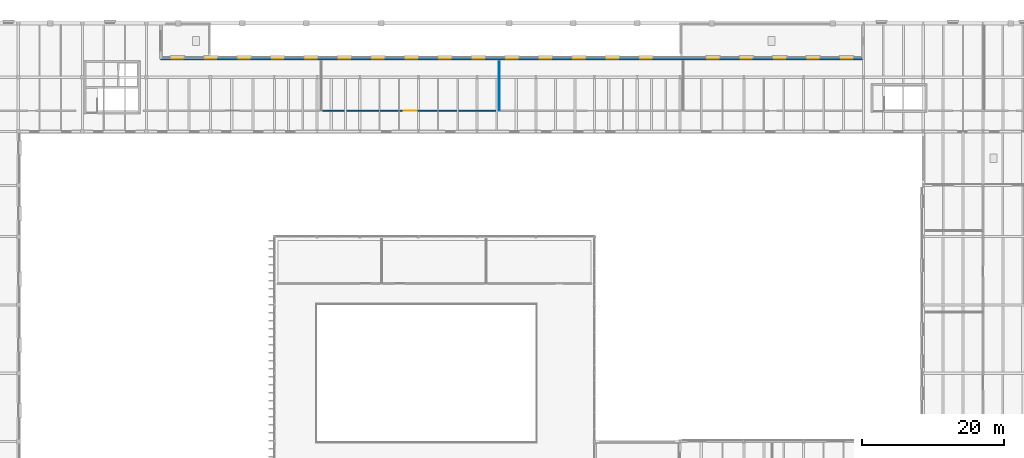
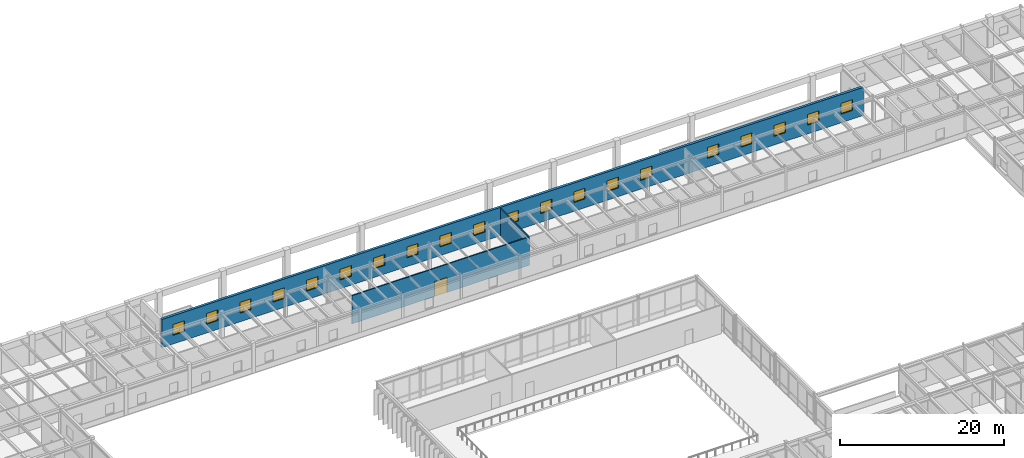
# One storey, part 50 of 64: 20 windows, 3 walls, 1 door, 21 openings.
"""IFC4 building model written with IfcOpenShell, lengths in metres."""

from ifc_helpers import new_model, si_unit, direction, frame, frame_2d, origin, place, context, subcontext, project, spatial, rectangle, extrude, material, layer, layer_set, type_object, element, fill, save


model = new_model("IFC4")

# Units and contexts
model_context = context("Model", 3, precision=1e-05, world=origin(), true_north=direction((0.0, 1.0)))
body_context = subcontext(model_context, "Body", "Model", "MODEL_VIEW")
ifc_project = project(units=[si_unit("LENGTHUNIT", "METRE"), si_unit("AREAUNIT", "SQUARE_METRE"), si_unit("VOLUMEUNIT", "CUBIC_METRE"), si_unit("PLANEANGLEUNIT", "RADIAN"), si_unit("MASSUNIT", "GRAM", prefix="KILO")], contexts=[model_context])

# Site, building, storey
site_placement = place(None, origin())
site = spatial("IfcSite", under=ifc_project, at=site_placement, CompositionType="ELEMENT")
building_placement = place(site_placement, origin())
building = spatial("IfcBuilding", under=site, at=building_placement, Name="Montealbar Specialist Clinic", CompositionType="ELEMENT")
storey_placement = place(building_placement, frame((0.0, 0.0, 5.10009765625)))
storey = spatial("IfcBuildingStorey", under=building, at=storey_placement, Name="L01", CompositionType="ELEMENT", Elevation=5.10009765625)

# Wall, openings, windows
ifc_material_1 = material(Name="Guadarrama granite ashlar", Category="masonry")
ifc_layer_1 = layer(ifc_material_1, 0.35009765625, Name="Guadarrama granite ashlar", Category="masonry")
ifc_layer_set_1 = layer_set([ifc_layer_1], Name="Guadarrama granite ashlar")
wall_type_1 = type_object("IfcWallType", Name="WL-EXT-GRANITE-350", PredefinedType="SOLIDWALL", material=ifc_layer_set_1)
wall_1_placement = place(storey_placement, frame((38.0, 106.0, 0.0), z_axis=(0.0, 0.0, 1.0), x_axis=(1.0, 0.0, 0.0)))
wall_1 = element("IfcWall", 1, at=wall_1_placement, inside=storey, type_object=wall_type_1, Name="Exterior Facade Wall EW-L01-027", PredefinedType="SOLIDWALL", context=body_context, shape_type="SweptSolid", body=[
    extrude(rectangle(XDim=98.800048828125, YDim=0.35009765625, at=frame_2d((49.39990234375, 0.0))), origin(), (0.0, 0.0, 1.0), 4.2099609375),
])
opening_1_placement = place(wall_1_placement, frame((1.552001953125, 0.0, 1.304931640625)))
opening_1 = element("IfcOpeningElement", 2, at=opening_1_placement, cuts=wall_1, Name="Opening WN-19", PredefinedType="OPENING", context=body_context, shape_type="SweptSolid", body=[
    extrude(rectangle(XDim=1.60009765625, YDim=1.60009765625, at=frame_2d((0.800048828125, 0.800048828125))), frame((0.0, 0.18505859375, 0.0), z_axis=(0.0, -1.0, 0.0), x_axis=(1.0, 0.0, 0.0)), (0.0, 0.0, 1.0), 0.3701171875),
])
opening_2_placement = place(wall_1_placement, frame((6.257080078125, 0.0, 1.304931640625)))
opening_2 = element("IfcOpeningElement", 3, at=opening_2_placement, cuts=wall_1, Name="Opening WN-19", PredefinedType="OPENING", context=body_context, shape_type="SweptSolid", body=[
    extrude(rectangle(XDim=1.60009765625, YDim=1.60009765625, at=frame_2d((0.800048828125, 0.800048828125))), frame((0.0, 0.18505859375, 0.0), z_axis=(0.0, -1.0, 0.0), x_axis=(1.0, 0.0, 0.0)), (0.0, 0.0, 1.0), 0.3701171875),
])
opening_3_placement = place(wall_1_placement, frame((10.9619140625, 0.0, 1.304931640625)))
opening_3 = element("IfcOpeningElement", 4, at=opening_3_placement, cuts=wall_1, Name="Opening WN-19", PredefinedType="OPENING", context=body_context, shape_type="SweptSolid", body=[
    extrude(rectangle(XDim=1.60009765625, YDim=1.60009765625, at=frame_2d((0.800048828125, 0.800048828125))), frame((0.0, 0.18505859375, 0.0), z_axis=(0.0, -1.0, 0.0), x_axis=(1.0, 0.0, 0.0)), (0.0, 0.0, 1.0), 0.3701171875),
])
opening_4_placement = place(wall_1_placement, frame((15.6669921875, 0.0, 1.304931640625)))
opening_4 = element("IfcOpeningElement", 5, at=opening_4_placement, cuts=wall_1, Name="Opening WN-19", PredefinedType="OPENING", context=body_context, shape_type="SweptSolid", body=[
    extrude(rectangle(XDim=1.60009765625, YDim=1.60009765625, at=frame_2d((0.800048828125, 0.800048828125))), frame((0.0, 0.18505859375, 0.0), z_axis=(0.0, -1.0, 0.0), x_axis=(1.0, 0.0, 0.0)), (0.0, 0.0, 1.0), 0.3701171875),
])
opening_5_placement = place(wall_1_placement, frame((20.37109375, 0.0, 1.304931640625)))
opening_5 = element("IfcOpeningElement", 6, at=opening_5_placement, cuts=wall_1, Name="Opening WN-19", PredefinedType="OPENING", context=body_context, shape_type="SweptSolid", body=[
    extrude(rectangle(XDim=1.60009765625, YDim=1.60009765625, at=frame_2d((0.800048828125, 0.800048828125))), frame((0.0, 0.18505859375, 0.0), z_axis=(0.0, -1.0, 0.0), x_axis=(1.0, 0.0, 0.0)), (0.0, 0.0, 1.0), 0.3701171875),
])
opening_6_placement = place(wall_1_placement, frame((25.075927734375, 0.0, 1.304931640625)))
opening_6 = element("IfcOpeningElement", 7, at=opening_6_placement, cuts=wall_1, Name="Opening WN-19", PredefinedType="OPENING", context=body_context, shape_type="SweptSolid", body=[
    extrude(rectangle(XDim=1.60009765625, YDim=1.60009765625, at=frame_2d((0.800048828125, 0.800048828125))), frame((0.0, 0.18505859375, 0.0), z_axis=(0.0, -1.0, 0.0), x_axis=(1.0, 0.0, 0.0)), (0.0, 0.0, 1.0), 0.3701171875),
])
opening_7_placement = place(wall_1_placement, frame((29.781005859375, 0.0, 1.304931640625)))
opening_7 = element("IfcOpeningElement", 8, at=opening_7_placement, cuts=wall_1, Name="Opening WN-19", PredefinedType="OPENING", context=body_context, shape_type="SweptSolid", body=[
    extrude(rectangle(XDim=1.60009765625, YDim=1.60009765625, at=frame_2d((0.800048828125, 0.800048828125))), frame((0.0, 0.18505859375, 0.0), z_axis=(0.0, -1.0, 0.0), x_axis=(1.0, 0.0, 0.0)), (0.0, 0.0, 1.0), 0.3701171875),
])
opening_8_placement = place(wall_1_placement, frame((34.486083984375, 0.0, 1.304931640625)))
opening_8 = element("IfcOpeningElement", 9, at=opening_8_placement, cuts=wall_1, Name="Opening WN-19", PredefinedType="OPENING", context=body_context, shape_type="SweptSolid", body=[
    extrude(rectangle(XDim=1.60009765625, YDim=1.60009765625, at=frame_2d((0.800048828125, 0.800048828125))), frame((0.0, 0.18505859375, 0.0), z_axis=(0.0, -1.0, 0.0), x_axis=(1.0, 0.0, 0.0)), (0.0, 0.0, 1.0), 0.3701171875),
])
opening_9_placement = place(wall_1_placement, frame((39.18994140625, 0.0, 1.304931640625)))
opening_9 = element("IfcOpeningElement", 10, at=opening_9_placement, cuts=wall_1, Name="Opening WN-19", PredefinedType="OPENING", context=body_context, shape_type="SweptSolid", body=[
    extrude(rectangle(XDim=1.60009765625, YDim=1.60009765625, at=frame_2d((0.800048828125, 0.800048828125))), frame((0.0, 0.18505859375, 0.0), z_axis=(0.0, -1.0, 0.0), x_axis=(1.0, 0.0, 0.0)), (0.0, 0.0, 1.0), 0.3701171875),
])
opening_10_placement = place(wall_1_placement, frame((43.89501953125, 0.0, 1.304931640625)))
opening_10 = element("IfcOpeningElement", 11, at=opening_10_placement, cuts=wall_1, Name="Opening WN-19", PredefinedType="OPENING", context=body_context, shape_type="SweptSolid", body=[
    extrude(rectangle(XDim=1.60009765625, YDim=1.60009765625, at=frame_2d((0.800048828125, 0.800048828125))), frame((0.0, 0.18505859375, 0.0), z_axis=(0.0, -1.0, 0.0), x_axis=(1.0, 0.0, 0.0)), (0.0, 0.0, 1.0), 0.3701171875),
])
opening_11_placement = place(wall_1_placement, frame((48.60009765625, 0.0, 1.304931640625)))
opening_11 = element("IfcOpeningElement", 12, at=opening_11_placement, cuts=wall_1, Name="Opening WN-19", PredefinedType="OPENING", context=body_context, shape_type="SweptSolid", body=[
    extrude(rectangle(XDim=1.60009765625, YDim=1.60009765625, at=frame_2d((0.800048828125, 0.800048828125))), frame((0.0, 0.18505859375, 0.0), z_axis=(0.0, -1.0, 0.0), x_axis=(1.0, 0.0, 0.0)), (0.0, 0.0, 1.0), 0.3701171875),
])
opening_12_placement = place(wall_1_placement, frame((53.304931640625, 0.0, 1.304931640625)))
opening_12 = element("IfcOpeningElement", 13, at=opening_12_placement, cuts=wall_1, Name="Opening WN-19", PredefinedType="OPENING", context=body_context, shape_type="SweptSolid", body=[
    extrude(rectangle(XDim=1.60009765625, YDim=1.60009765625, at=frame_2d((0.800048828125, 0.800048828125))), frame((0.0, 0.18505859375, 0.0), z_axis=(0.0, -1.0, 0.0), x_axis=(1.0, 0.0, 0.0)), (0.0, 0.0, 1.0), 0.3701171875),
])
opening_13_placement = place(wall_1_placement, frame((58.010009765625, 0.0, 1.304931640625)))
opening_13 = element("IfcOpeningElement", 14, at=opening_13_placement, cuts=wall_1, Name="Opening WN-19", PredefinedType="OPENING", context=body_context, shape_type="SweptSolid", body=[
    extrude(rectangle(XDim=1.60009765625, YDim=1.60009765625, at=frame_2d((0.800048828125, 0.800048828125))), frame((0.0, 0.18505859375, 0.0), z_axis=(0.0, -1.0, 0.0), x_axis=(1.0, 0.0, 0.0)), (0.0, 0.0, 1.0), 0.3701171875),
])
opening_14_placement = place(wall_1_placement, frame((62.714111328125, 0.0, 1.304931640625)))
opening_14 = element("IfcOpeningElement", 15, at=opening_14_placement, cuts=wall_1, Name="Opening WN-19", PredefinedType="OPENING", context=body_context, shape_type="SweptSolid", body=[
    extrude(rectangle(XDim=1.60009765625, YDim=1.60009765625, at=frame_2d((0.800048828125, 0.800048828125))), frame((0.0, 0.18505859375, 0.0), z_axis=(0.0, -1.0, 0.0), x_axis=(1.0, 0.0, 0.0)), (0.0, 0.0, 1.0), 0.3701171875),
])
opening_15_placement = place(wall_1_placement, frame((67.4189453125, 0.0, 1.304931640625)))
opening_15 = element("IfcOpeningElement", 16, at=opening_15_placement, cuts=wall_1, Name="Opening WN-19", PredefinedType="OPENING", context=body_context, shape_type="SweptSolid", body=[
    extrude(rectangle(XDim=1.60009765625, YDim=1.60009765625, at=frame_2d((0.800048828125, 0.800048828125))), frame((0.0, 0.18505859375, 0.0), z_axis=(0.0, -1.0, 0.0), x_axis=(1.0, 0.0, 0.0)), (0.0, 0.0, 1.0), 0.3701171875),
])
opening_16_placement = place(wall_1_placement, frame((76.8291015625, 0.0, 1.304931640625)))
opening_16 = element("IfcOpeningElement", 17, at=opening_16_placement, cuts=wall_1, Name="Opening WN-19", PredefinedType="OPENING", context=body_context, shape_type="SweptSolid", body=[
    extrude(rectangle(XDim=1.60009765625, YDim=1.60009765625, at=frame_2d((0.800048828125, 0.800048828125))), frame((0.0, 0.18505859375, 0.0), z_axis=(0.0, -1.0, 0.0), x_axis=(1.0, 0.0, 0.0)), (0.0, 0.0, 1.0), 0.3701171875),
])
opening_17_placement = place(wall_1_placement, frame((81.532958984375, 0.0, 1.304931640625)))
opening_17 = element("IfcOpeningElement", 18, at=opening_17_placement, cuts=wall_1, Name="Opening WN-19", PredefinedType="OPENING", context=body_context, shape_type="SweptSolid", body=[
    extrude(rectangle(XDim=1.60009765625, YDim=1.60009765625, at=frame_2d((0.800048828125, 0.800048828125))), frame((0.0, 0.18505859375, 0.0), z_axis=(0.0, -1.0, 0.0), x_axis=(1.0, 0.0, 0.0)), (0.0, 0.0, 1.0), 0.3701171875),
])
opening_18_placement = place(wall_1_placement, frame((86.238037109375, 0.0, 1.304931640625)))
opening_18 = element("IfcOpeningElement", 19, at=opening_18_placement, cuts=wall_1, Name="Opening WN-19", PredefinedType="OPENING", context=body_context, shape_type="SweptSolid", body=[
    extrude(rectangle(XDim=1.60009765625, YDim=1.60009765625, at=frame_2d((0.800048828125, 0.800048828125))), frame((0.0, 0.18505859375, 0.0), z_axis=(0.0, -1.0, 0.0), x_axis=(1.0, 0.0, 0.0)), (0.0, 0.0, 1.0), 0.3701171875),
])
opening_19_placement = place(wall_1_placement, frame((90.943115234375, 0.0, 1.304931640625)))
opening_19 = element("IfcOpeningElement", 20, at=opening_19_placement, cuts=wall_1, Name="Opening WN-19", PredefinedType="OPENING", context=body_context, shape_type="SweptSolid", body=[
    extrude(rectangle(XDim=1.60009765625, YDim=1.60009765625, at=frame_2d((0.800048828125, 0.800048828125))), frame((0.0, 0.18505859375, 0.0), z_axis=(0.0, -1.0, 0.0), x_axis=(1.0, 0.0, 0.0)), (0.0, 0.0, 1.0), 0.3701171875),
])
opening_20_placement = place(wall_1_placement, frame((95.64794921875, 0.0, 1.304931640625)))
opening_20 = element("IfcOpeningElement", 21, at=opening_20_placement, cuts=wall_1, Name="Opening WN-19", PredefinedType="OPENING", context=body_context, shape_type="SweptSolid", body=[
    extrude(rectangle(XDim=1.60009765625, YDim=1.60009765625, at=frame_2d((0.800048828125, 0.800048828125))), frame((0.0, 0.18505859375, 0.0), z_axis=(0.0, -1.0, 0.0), x_axis=(1.0, 0.0, 0.0)), (0.0, 0.0, 1.0), 0.3701171875),
])
ifc_material_2 = material(Name="Low-E double glazing", Category="glass")
window_type = type_object("IfcWindowType", Name="WIN-WN-19", PartitioningType="SINGLE_PANEL", PredefinedType="WINDOW", material=ifc_material_2)
window_1_placement = place(opening_1_placement, origin())
window_1 = element("IfcWindow", 22, at=window_1_placement, inside=storey, type_object=window_type, Name="Clinical Facade Postmodern Oculus Window WN-19 L01-0077", OverallHeight=1.60009765625, OverallWidth=1.60009765625, PartitioningType="SINGLE_PANEL", PredefinedType="WINDOW", context=body_context, shape_type="SweptSolid", body=[
    extrude(rectangle(XDim=1.60009765625, YDim=1.60009765625, at=frame_2d((0.800048828125, 0.800048828125))), frame((0.0, 0.030029296875, 0.0), z_axis=(0.0, -1.0, 0.0), x_axis=(1.0, 0.0, 0.0)), (0.0, 0.0, 1.0), 0.06005859375),
])
fill(opening_1, window_1)
window_2_placement = place(opening_2_placement, origin())
window_2 = element("IfcWindow", 23, at=window_2_placement, inside=storey, type_object=window_type, Name="Clinical Facade Postmodern Oculus Window WN-19 L01-0078", OverallHeight=1.60009765625, OverallWidth=1.60009765625, PartitioningType="SINGLE_PANEL", PredefinedType="WINDOW", context=body_context, shape_type="SweptSolid", body=[
    extrude(rectangle(XDim=1.60009765625, YDim=1.60009765625, at=frame_2d((0.800048828125, 0.800048828125))), frame((0.0, 0.030029296875, 0.0), z_axis=(0.0, -1.0, 0.0), x_axis=(1.0, 0.0, 0.0)), (0.0, 0.0, 1.0), 0.06005859375),
])
fill(opening_2, window_2)
window_3_placement = place(opening_3_placement, origin())
window_3 = element("IfcWindow", 24, at=window_3_placement, inside=storey, type_object=window_type, Name="Clinical Facade Postmodern Oculus Window WN-19 L01-0079", OverallHeight=1.60009765625, OverallWidth=1.60009765625, PartitioningType="SINGLE_PANEL", PredefinedType="WINDOW", context=body_context, shape_type="SweptSolid", body=[
    extrude(rectangle(XDim=1.60009765625, YDim=1.60009765625, at=frame_2d((0.800048828125, 0.800048828125))), frame((0.0, 0.030029296875, 0.0), z_axis=(0.0, -1.0, 0.0), x_axis=(1.0, 0.0, 0.0)), (0.0, 0.0, 1.0), 0.06005859375),
])
fill(opening_3, window_3)
window_4_placement = place(opening_4_placement, origin())
window_4 = element("IfcWindow", 25, at=window_4_placement, inside=storey, type_object=window_type, Name="Clinical Facade Postmodern Oculus Window WN-19 L01-0080", OverallHeight=1.60009765625, OverallWidth=1.60009765625, PartitioningType="SINGLE_PANEL", PredefinedType="WINDOW", context=body_context, shape_type="SweptSolid", body=[
    extrude(rectangle(XDim=1.60009765625, YDim=1.60009765625, at=frame_2d((0.800048828125, 0.800048828125))), frame((0.0, 0.030029296875, 0.0), z_axis=(0.0, -1.0, 0.0), x_axis=(1.0, 0.0, 0.0)), (0.0, 0.0, 1.0), 0.06005859375),
])
fill(opening_4, window_4)
window_5_placement = place(opening_5_placement, origin())
window_5 = element("IfcWindow", 26, at=window_5_placement, inside=storey, type_object=window_type, Name="Clinical Facade Postmodern Oculus Window WN-19 L01-0081", OverallHeight=1.60009765625, OverallWidth=1.60009765625, PartitioningType="SINGLE_PANEL", PredefinedType="WINDOW", context=body_context, shape_type="SweptSolid", body=[
    extrude(rectangle(XDim=1.60009765625, YDim=1.60009765625, at=frame_2d((0.800048828125, 0.800048828125))), frame((0.0, 0.030029296875, 0.0), z_axis=(0.0, -1.0, 0.0), x_axis=(1.0, 0.0, 0.0)), (0.0, 0.0, 1.0), 0.06005859375),
])
fill(opening_5, window_5)
window_6_placement = place(opening_6_placement, origin())
window_6 = element("IfcWindow", 27, at=window_6_placement, inside=storey, type_object=window_type, Name="Clinical Facade Postmodern Oculus Window WN-19 L01-0082", OverallHeight=1.60009765625, OverallWidth=1.60009765625, PartitioningType="SINGLE_PANEL", PredefinedType="WINDOW", context=body_context, shape_type="SweptSolid", body=[
    extrude(rectangle(XDim=1.60009765625, YDim=1.60009765625, at=frame_2d((0.800048828125, 0.800048828125))), frame((0.0, 0.030029296875, 0.0), z_axis=(0.0, -1.0, 0.0), x_axis=(1.0, 0.0, 0.0)), (0.0, 0.0, 1.0), 0.06005859375),
])
fill(opening_6, window_6)
window_7_placement = place(opening_7_placement, origin())
window_7 = element("IfcWindow", 28, at=window_7_placement, inside=storey, type_object=window_type, Name="Clinical Facade Postmodern Oculus Window WN-19 L01-0083", OverallHeight=1.60009765625, OverallWidth=1.60009765625, PartitioningType="SINGLE_PANEL", PredefinedType="WINDOW", context=body_context, shape_type="SweptSolid", body=[
    extrude(rectangle(XDim=1.60009765625, YDim=1.60009765625, at=frame_2d((0.800048828125, 0.800048828125))), frame((0.0, 0.030029296875, 0.0), z_axis=(0.0, -1.0, 0.0), x_axis=(1.0, 0.0, 0.0)), (0.0, 0.0, 1.0), 0.06005859375),
])
fill(opening_7, window_7)
window_8_placement = place(opening_8_placement, origin())
window_8 = element("IfcWindow", 29, at=window_8_placement, inside=storey, type_object=window_type, Name="Clinical Facade Postmodern Oculus Window WN-19 L01-0084", OverallHeight=1.60009765625, OverallWidth=1.60009765625, PartitioningType="SINGLE_PANEL", PredefinedType="WINDOW", context=body_context, shape_type="SweptSolid", body=[
    extrude(rectangle(XDim=1.60009765625, YDim=1.60009765625, at=frame_2d((0.800048828125, 0.800048828125))), frame((0.0, 0.030029296875, 0.0), z_axis=(0.0, -1.0, 0.0), x_axis=(1.0, 0.0, 0.0)), (0.0, 0.0, 1.0), 0.06005859375),
])
fill(opening_8, window_8)
window_9_placement = place(opening_9_placement, origin())
window_9 = element("IfcWindow", 30, at=window_9_placement, inside=storey, type_object=window_type, Name="Clinical Facade Postmodern Oculus Window WN-19 L01-0085", OverallHeight=1.60009765625, OverallWidth=1.60009765625, PartitioningType="SINGLE_PANEL", PredefinedType="WINDOW", context=body_context, shape_type="SweptSolid", body=[
    extrude(rectangle(XDim=1.60009765625, YDim=1.60009765625, at=frame_2d((0.800048828125, 0.800048828125))), frame((0.0, 0.030029296875, 0.0), z_axis=(0.0, -1.0, 0.0), x_axis=(1.0, 0.0, 0.0)), (0.0, 0.0, 1.0), 0.06005859375),
])
fill(opening_9, window_9)
window_10_placement = place(opening_10_placement, origin())
window_10 = element("IfcWindow", 31, at=window_10_placement, inside=storey, type_object=window_type, Name="Clinical Facade Postmodern Oculus Window WN-19 L01-0086", OverallHeight=1.60009765625, OverallWidth=1.60009765625, PartitioningType="SINGLE_PANEL", PredefinedType="WINDOW", context=body_context, shape_type="SweptSolid", body=[
    extrude(rectangle(XDim=1.60009765625, YDim=1.60009765625, at=frame_2d((0.800048828125, 0.800048828125))), frame((0.0, 0.030029296875, 0.0), z_axis=(0.0, -1.0, 0.0), x_axis=(1.0, 0.0, 0.0)), (0.0, 0.0, 1.0), 0.06005859375),
])
fill(opening_10, window_10)
window_11_placement = place(opening_11_placement, origin())
window_11 = element("IfcWindow", 32, at=window_11_placement, inside=storey, type_object=window_type, Name="Clinical Facade Postmodern Oculus Window WN-19 L01-0087", OverallHeight=1.60009765625, OverallWidth=1.60009765625, PartitioningType="SINGLE_PANEL", PredefinedType="WINDOW", context=body_context, shape_type="SweptSolid", body=[
    extrude(rectangle(XDim=1.60009765625, YDim=1.60009765625, at=frame_2d((0.800048828125, 0.800048828125))), frame((0.0, 0.030029296875, 0.0), z_axis=(0.0, -1.0, 0.0), x_axis=(1.0, 0.0, 0.0)), (0.0, 0.0, 1.0), 0.06005859375),
])
fill(opening_11, window_11)
window_12_placement = place(opening_12_placement, origin())
window_12 = element("IfcWindow", 33, at=window_12_placement, inside=storey, type_object=window_type, Name="Clinical Facade Postmodern Oculus Window WN-19 L01-0088", OverallHeight=1.60009765625, OverallWidth=1.60009765625, PartitioningType="SINGLE_PANEL", PredefinedType="WINDOW", context=body_context, shape_type="SweptSolid", body=[
    extrude(rectangle(XDim=1.60009765625, YDim=1.60009765625, at=frame_2d((0.800048828125, 0.800048828125))), frame((0.0, 0.030029296875, 0.0), z_axis=(0.0, -1.0, 0.0), x_axis=(1.0, 0.0, 0.0)), (0.0, 0.0, 1.0), 0.06005859375),
])
fill(opening_12, window_12)
window_13_placement = place(opening_13_placement, origin())
window_13 = element("IfcWindow", 34, at=window_13_placement, inside=storey, type_object=window_type, Name="Clinical Facade Postmodern Oculus Window WN-19 L01-0089", OverallHeight=1.60009765625, OverallWidth=1.60009765625, PartitioningType="SINGLE_PANEL", PredefinedType="WINDOW", context=body_context, shape_type="SweptSolid", body=[
    extrude(rectangle(XDim=1.60009765625, YDim=1.60009765625, at=frame_2d((0.800048828125, 0.800048828125))), frame((0.0, 0.030029296875, 0.0), z_axis=(0.0, -1.0, 0.0), x_axis=(1.0, 0.0, 0.0)), (0.0, 0.0, 1.0), 0.06005859375),
])
fill(opening_13, window_13)
window_14_placement = place(opening_14_placement, origin())
window_14 = element("IfcWindow", 35, at=window_14_placement, inside=storey, type_object=window_type, Name="Clinical Facade Postmodern Oculus Window WN-19 L01-0090", OverallHeight=1.60009765625, OverallWidth=1.60009765625, PartitioningType="SINGLE_PANEL", PredefinedType="WINDOW", context=body_context, shape_type="SweptSolid", body=[
    extrude(rectangle(XDim=1.60009765625, YDim=1.60009765625, at=frame_2d((0.800048828125, 0.800048828125))), frame((0.0, 0.030029296875, 0.0), z_axis=(0.0, -1.0, 0.0), x_axis=(1.0, 0.0, 0.0)), (0.0, 0.0, 1.0), 0.06005859375),
])
fill(opening_14, window_14)
window_15_placement = place(opening_15_placement, origin())
window_15 = element("IfcWindow", 36, at=window_15_placement, inside=storey, type_object=window_type, Name="Clinical Facade Postmodern Oculus Window WN-19 L01-0091", OverallHeight=1.60009765625, OverallWidth=1.60009765625, PartitioningType="SINGLE_PANEL", PredefinedType="WINDOW", context=body_context, shape_type="SweptSolid", body=[
    extrude(rectangle(XDim=1.60009765625, YDim=1.60009765625, at=frame_2d((0.800048828125, 0.800048828125))), frame((0.0, 0.030029296875, 0.0), z_axis=(0.0, -1.0, 0.0), x_axis=(1.0, 0.0, 0.0)), (0.0, 0.0, 1.0), 0.06005859375),
])
fill(opening_15, window_15)
window_16_placement = place(opening_16_placement, origin())
window_16 = element("IfcWindow", 37, at=window_16_placement, inside=storey, type_object=window_type, Name="Clinical Facade Postmodern Oculus Window WN-19 L01-0092", OverallHeight=1.60009765625, OverallWidth=1.60009765625, PartitioningType="SINGLE_PANEL", PredefinedType="WINDOW", context=body_context, shape_type="SweptSolid", body=[
    extrude(rectangle(XDim=1.60009765625, YDim=1.60009765625, at=frame_2d((0.800048828125, 0.800048828125))), frame((0.0, 0.030029296875, 0.0), z_axis=(0.0, -1.0, 0.0), x_axis=(1.0, 0.0, 0.0)), (0.0, 0.0, 1.0), 0.06005859375),
])
fill(opening_16, window_16)
window_17_placement = place(opening_17_placement, origin())
window_17 = element("IfcWindow", 38, at=window_17_placement, inside=storey, type_object=window_type, Name="Clinical Facade Postmodern Oculus Window WN-19 L01-0093", OverallHeight=1.60009765625, OverallWidth=1.60009765625, PartitioningType="SINGLE_PANEL", PredefinedType="WINDOW", context=body_context, shape_type="SweptSolid", body=[
    extrude(rectangle(XDim=1.60009765625, YDim=1.60009765625, at=frame_2d((0.800048828125, 0.800048828125))), frame((0.0, 0.030029296875, 0.0), z_axis=(0.0, -1.0, 0.0), x_axis=(1.0, 0.0, 0.0)), (0.0, 0.0, 1.0), 0.06005859375),
])
fill(opening_17, window_17)
window_18_placement = place(opening_18_placement, origin())
window_18 = element("IfcWindow", 39, at=window_18_placement, inside=storey, type_object=window_type, Name="Clinical Facade Postmodern Oculus Window WN-19 L01-0094", OverallHeight=1.60009765625, OverallWidth=1.60009765625, PartitioningType="SINGLE_PANEL", PredefinedType="WINDOW", context=body_context, shape_type="SweptSolid", body=[
    extrude(rectangle(XDim=1.60009765625, YDim=1.60009765625, at=frame_2d((0.800048828125, 0.800048828125))), frame((0.0, 0.030029296875, 0.0), z_axis=(0.0, -1.0, 0.0), x_axis=(1.0, 0.0, 0.0)), (0.0, 0.0, 1.0), 0.06005859375),
])
fill(opening_18, window_18)
window_19_placement = place(opening_19_placement, origin())
window_19 = element("IfcWindow", 40, at=window_19_placement, inside=storey, type_object=window_type, Name="Clinical Facade Postmodern Oculus Window WN-19 L01-0095", OverallHeight=1.60009765625, OverallWidth=1.60009765625, PartitioningType="SINGLE_PANEL", PredefinedType="WINDOW", context=body_context, shape_type="SweptSolid", body=[
    extrude(rectangle(XDim=1.60009765625, YDim=1.60009765625, at=frame_2d((0.800048828125, 0.800048828125))), frame((0.0, 0.030029296875, 0.0), z_axis=(0.0, -1.0, 0.0), x_axis=(1.0, 0.0, 0.0)), (0.0, 0.0, 1.0), 0.06005859375),
])
fill(opening_19, window_19)
window_20_placement = place(opening_20_placement, origin())
window_20 = element("IfcWindow", 41, at=window_20_placement, inside=storey, type_object=window_type, Name="Clinical Facade Postmodern Oculus Window WN-19 L01-0096", OverallHeight=1.60009765625, OverallWidth=1.60009765625, PartitioningType="SINGLE_PANEL", PredefinedType="WINDOW", context=body_context, shape_type="SweptSolid", body=[
    extrude(rectangle(XDim=1.60009765625, YDim=1.60009765625, at=frame_2d((0.800048828125, 0.800048828125))), frame((0.0, 0.030029296875, 0.0), z_axis=(0.0, -1.0, 0.0), x_axis=(1.0, 0.0, 0.0)), (0.0, 0.0, 1.0), 0.06005859375),
])
fill(opening_20, window_20)

# Wall
ifc_material_3 = material(Name="Gypsum acoustic partition", Category="gypsum")
ifc_layer_2 = layer(ifc_material_3, 0.139892578125, Name="Gypsum acoustic partition", Category="gypsum")
ifc_layer_set_2 = layer_set([ifc_layer_2], Name="Gypsum acoustic partition")
wall_type_2 = type_object("IfcWallType", Name="WL-PART-ACOUSTIC-140", PredefinedType="PARTITIONING", material=ifc_layer_set_2)
wall_2_placement = place(storey_placement, frame((85.60009765625, 98.699951171875, 0.0), z_axis=(0.0, 0.0, 1.0), x_axis=(0.0, 1.0, 0.0)))
element("IfcWall", 42, at=wall_2_placement, inside=storey, type_object=wall_type_2, Name="Clinical Partition PART-L01-0081", PredefinedType="PARTITIONING", context=body_context, shape_type="SweptSolid", body=[
    extrude(rectangle(XDim=6.900146484375, YDim=0.139892578125, at=frame_2d((3.4501953125, 0.0))), origin(), (0.0, 0.0, 1.0), 4.2099609375),
])

# Wall, opening, door
ifc_layer_3 = layer(ifc_material_3, 0.159912109375, Name="Gypsum acoustic partition", Category="gypsum")
ifc_layer_set_3 = layer_set([ifc_layer_3], Name="Gypsum acoustic partition")
wall_type_3 = type_object("IfcWallType", Name="WL-PART-CLINIC-160", PredefinedType="PARTITIONING", material=ifc_layer_set_3)
wall_3_placement = place(storey_placement, frame((60.60009765625, 98.699951171875, 0.0), z_axis=(0.0, 0.0, 1.0), x_axis=(1.0, 0.0, 0.0)))
wall_3 = element("IfcWall", 43, at=wall_3_placement, inside=storey, type_object=wall_type_3, Name="Clinical Partition PART-L01-0080", PredefinedType="PARTITIONING", context=body_context, shape_type="SweptSolid", body=[
    extrude(rectangle(XDim=25.0, YDim=0.159912109375, at=frame_2d((12.5, 0.0))), origin(), (0.0, 0.0, 1.0), 4.2099609375),
])
opening_21_placement = place(wall_3_placement, frame((11.60009765625, 0.0, 0.0)))
opening_21 = element("IfcOpeningElement", 44, at=opening_21_placement, cuts=wall_3, Name="Opening ID-180", PredefinedType="OPENING", context=body_context, shape_type="SweptSolid", body=[
    extrude(rectangle(XDim=1.800048828125, YDim=2.25, at=frame_2d((0.89990234375, 1.125))), frame((0.0, 0.08984375, 0.0), z_axis=(0.0, -1.0, 0.0), x_axis=(1.0, 0.0, 0.0)), (0.0, 0.0, 1.0), 0.179931640625),
])
ifc_material_4 = material(Name="Acoustic timber leaf", Category="wood")
door_type = type_object("IfcDoorType", Name="DR-DBL-W1800", OperationType="DOUBLE_DOOR_SINGLE_SWING", PredefinedType="DOOR", material=ifc_material_4)
door_placement = place(opening_21_placement, frame((1.800048828125, 0.0, 0.0), z_axis=(0.0, 0.0, 1.0), x_axis=(-1.0, 0.0, 0.0)))
door = element("IfcDoor", 45, at=door_placement, inside=storey, type_object=door_type, Name="Clinical Room Door IDR-L01-0054", OperationType="DOUBLE_DOOR_SINGLE_SWING", OverallHeight=2.25, OverallWidth=1.800048828125, PredefinedType="DOOR", context=body_context, shape_type="SweptSolid", body=[
    extrude(rectangle(XDim=1.800048828125, YDim=2.25, at=frame_2d((0.89990234375, 1.125))), frame((0.0, 0.02490234375, 0.0), z_axis=(0.0, -1.0, 0.0), x_axis=(1.0, 0.0, 0.0)), (0.0, 0.0, 1.0), 0.050048828125),
])
fill(opening_21, door)

save(model, "model.ifc")
